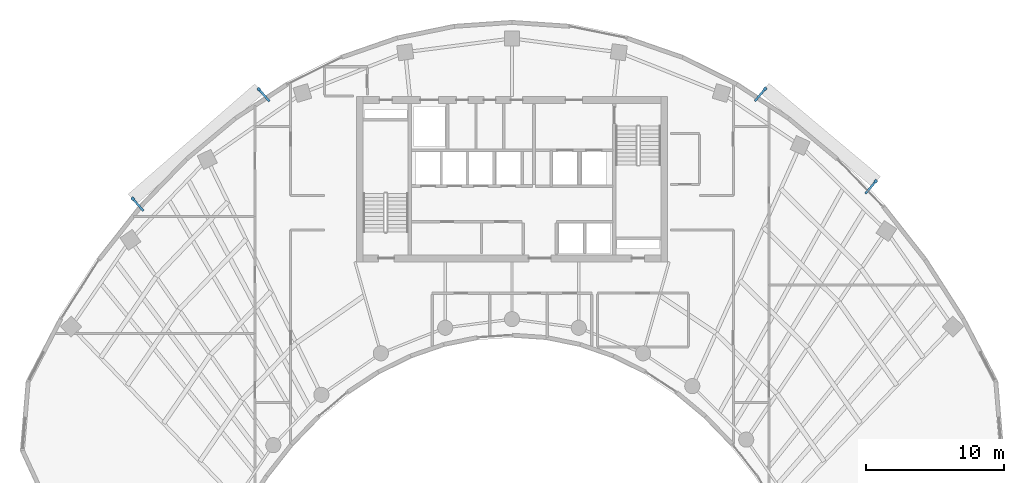
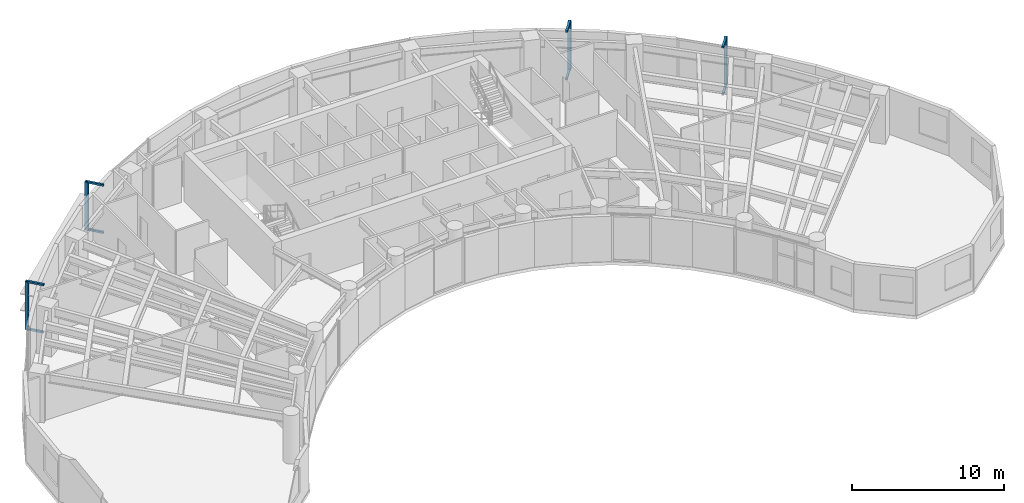
# One storey, part 11 of 13: 12 discrete accessories.
"""IFC4 building model written with IfcOpenShell, lengths in metres."""

from ifc_helpers import new_model, si_unit, direction, frame, origin, origin_2d, place, context, subcontext, project, spatial, rectangle, extrude, source, transform, mapped, material, type_object, type_shapes, element, save


model = new_model("IFC4")

# Units and contexts
model_context = context("Model", 3, precision=1e-05, world=origin(), true_north=direction((0.0, 1.0)))
body_context = subcontext(model_context, "Body", "Model", "MODEL_VIEW")
ifc_project = project(units=[si_unit("LENGTHUNIT", "METRE"), si_unit("AREAUNIT", "SQUARE_METRE"), si_unit("VOLUMEUNIT", "CUBIC_METRE"), si_unit("PLANEANGLEUNIT", "RADIAN"), si_unit("MASSUNIT", "GRAM", prefix="KILO")], contexts=[model_context])

# Site, building, storey
site_placement = place(None, origin())
site = spatial("IfcSite", under=ifc_project, at=site_placement, CompositionType="ELEMENT")
building_placement = place(site_placement, origin())
building = spatial("IfcBuilding", under=site, at=building_placement, Name="Breltana Convention Tower", CompositionType="ELEMENT")
storey_placement = place(building_placement, frame((0.0, 0.0, 146.699951171875)))
storey = spatial("IfcBuildingStorey", under=building, at=storey_placement, Name="L35", CompositionType="ELEMENT", Elevation=146.699951171875)

# Discrete accessories
ifc_material = material(Name="Steel S355", Category="steel")
discrete_accessory_type_1 = type_object("IfcDiscreteAccessoryType", Name="ACC-DSF-BRACKET-150", PredefinedType="BRACKET", material=ifc_material)
shared_shape_1 = source(origin(), body_context, "Body", "SweptSolid", [
    extrude(rectangle(XDim=1.239990234375, YDim=0.14990234375, at=origin_2d()), origin(), (0.0, 0.0, 1.0), 0.139892578125),
])
type_shapes(discrete_accessory_type_1, [shared_shape_1])
for number, where, z_axis, x_axis, name in (
    (1, (20.849853515625, 64.353271484375, -0.15966796875), (0.0, 0.0, 1.0), (-0.65645558996, 0.754364672032, 0.0), "L35 double-skin slab stand-off bracket 1.1B"),
    (2, (20.849853515625, 64.353271484375, 3.64990234375), (0.0, 0.0, 1.0), (-0.65645558996, 0.754364672032, 0.0), "L35 double-skin slab stand-off bracket 1.1T"),
    (3, (29.988525390625, 72.305908203125, -0.15966796875), (0.0, 0.0, 1.0), (-0.65645558996, 0.754364672032, 0.0), "L35 double-skin slab stand-off bracket 1.2B"),
    (4, (29.988525390625, 72.305908203125, 3.64990234375), (0.0, 0.0, 1.0), (-0.65645558996, 0.754364672032, 0.0), "L35 double-skin slab stand-off bracket 1.2T"),
    (5, (66.019287109375, 72.327880859375, -0.15966796875), (0.0, 0.0, 1.0), (0.641989340657, 0.766713562214, 0.0), "L35 double-skin slab stand-off bracket 2.1B"),
    (6, (66.019287109375, 72.327880859375, 3.64990234375), (0.0, 0.0, 1.0), (0.641989340657, 0.766713562214, 0.0), "L35 double-skin slab stand-off bracket 2.1T"),
    (7, (74.037841796875, 65.61376953125, -0.15966796875), (0.0, 0.0, 1.0), (0.641989340657, 0.766713562214, 0.0), "L35 double-skin slab stand-off bracket 2.2B"),
    (8, (74.037841796875, 65.61376953125, 3.64990234375), (0.0, 0.0, 1.0), (0.641989340657, 0.766713562214, 0.0), "L35 double-skin slab stand-off bracket 2.2T"),
):
    element("IfcDiscreteAccessory", number, at=place(storey_placement, frame(where, z_axis=z_axis, x_axis=x_axis)), inside=storey, type_object=discrete_accessory_type_1, Name=name, PredefinedType="BRACKET", context=body_context, shape_type="MappedRepresentation", body=[
        mapped(shared_shape_1, transform((0.0, 0.0, 0.0), scale=1.0)),
    ])
discrete_accessory_type_2 = type_object("IfcDiscreteAccessoryType", Name="ACC-DSF-CARRIER-150", PredefinedType="BRACKET", material=ifc_material)
shared_shape_2 = source(origin(), body_context, "Body", "SweptSolid", [
    extrude(rectangle(XDim=0.219970703125, YDim=0.219970703125, at=origin_2d()), origin(), (0.0, 0.0, 1.0), 3.8701171875),
])
for number, where, z_axis, x_axis, name in (
    (9, (20.482177734375, 64.77587890625, -0.1201171875), (0.0, 0.0, 1.0), (-0.65645558996, 0.754364672032, 0.0), "L35 double-skin outer vertical carrier 1.1"),
    (10, (29.620849609375, 72.728271484375, -0.1201171875), (0.0, 0.0, 1.0), (-0.65645558996, 0.754364672032, 0.0), "L35 double-skin outer vertical carrier 1.2"),
    (11, (66.37890625, 72.757080078125, -0.1201171875), (0.0, 0.0, 1.0), (0.641989340657, 0.766713562214, 0.0), "L35 double-skin outer vertical carrier 2.1"),
    (12, (74.3974609375, 66.043212890625, -0.1201171875), (0.0, 0.0, 1.0), (0.641989340657, 0.766713562214, 0.0), "L35 double-skin outer vertical carrier 2.2"),
):
    element("IfcDiscreteAccessory", number, at=place(storey_placement, frame(where, z_axis=z_axis, x_axis=x_axis)), inside=storey, type_object=discrete_accessory_type_2, Name=name, PredefinedType="BRACKET", context=body_context, shape_type="MappedRepresentation", body=[
        mapped(shared_shape_2, transform((0.0, 0.0, 0.0), scale=1.0)),
    ])

save(model, "model.ifc")
